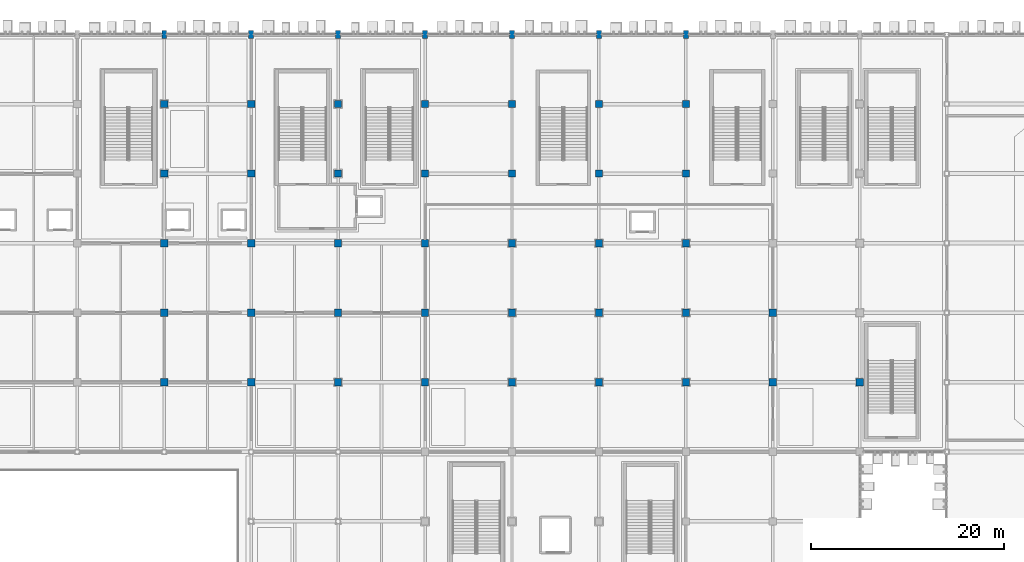
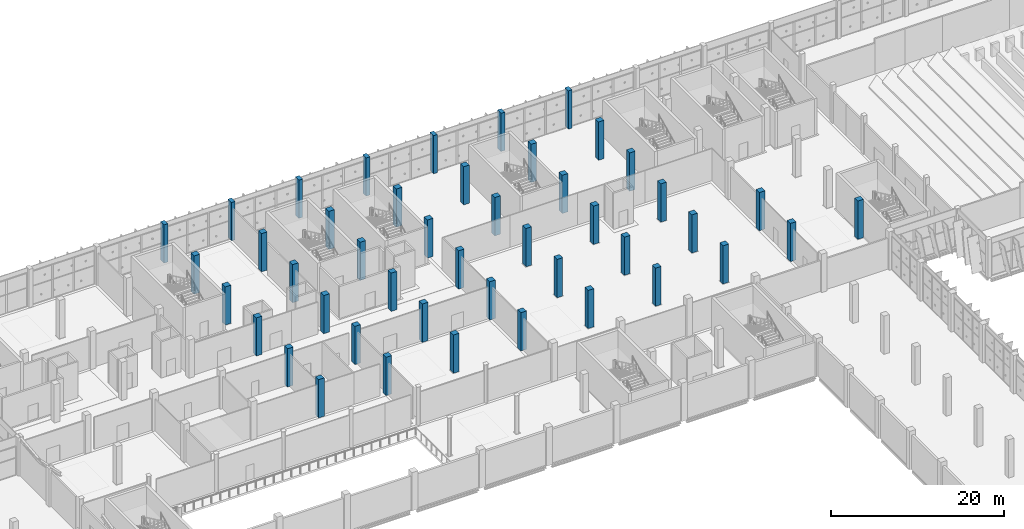
# One storey, part 13 of 189: 45 columns.
"""IFC4 building model written with IfcOpenShell, lengths in metres."""

from ifc_helpers import new_model, si_unit, direction, frame, origin, origin_2d, place, context, subcontext, project, spatial, rectangle, extrude, material, material_profile, profile_set, type_object, element, save


model = new_model("IFC4")

# Units and contexts
model_context = context("Model", 3, precision=1e-05, world=origin(), true_north=direction((0.0, 1.0)))
body_context = subcontext(model_context, "Body", "Model", "MODEL_VIEW")
ifc_project = project(units=[si_unit("LENGTHUNIT", "METRE"), si_unit("AREAUNIT", "SQUARE_METRE"), si_unit("VOLUMEUNIT", "CUBIC_METRE"), si_unit("PLANEANGLEUNIT", "RADIAN"), si_unit("MASSUNIT", "GRAM", prefix="KILO")], contexts=[model_context])

# Site, building, storey
site_placement = place(None, origin())
site = spatial("IfcSite", under=ifc_project, at=site_placement, CompositionType="ELEMENT")
building_placement = place(site_placement, origin())
building = spatial("IfcBuilding", under=site, at=building_placement, Name="Celestram Park Convention Centre", CompositionType="ELEMENT")
storey_placement = place(building_placement, frame((0.0, 0.0, 5.39990234375)))
storey = spatial("IfcBuildingStorey", under=building, at=storey_placement, Name="L01", CompositionType="ELEMENT", Elevation=5.39990234375)

# Columns
ifc_material = material(Name="Concrete C40/50", Category="concrete")
ifc_material_profile_1 = material_profile(ifc_material, rectangle(XDim=0.75, YDim=0.75, at=origin_2d()), Name="RC750X750")
ifc_profile_set_1 = profile_set([ifc_material_profile_1], Name="Concrete C40/50")
column_type_1 = type_object("IfcColumnType", Name="STR-COL-RC750", PredefinedType="COLUMN", material=ifc_profile_set_1)
for number, where, z_axis, x_axis, name in (
    (1, (72.0, 129.60009765625, 0.0), (0.0, 0.0, 1.0), (1.0, 0.0, 0.0), "Column CN-L01-081"),
    (2, (72.0, 136.800048828125, 0.0), (0.0, 0.0, 1.0), (1.0, 0.0, 0.0), "Column CN-L01-082"),
    (3, (72.0, 144.0, 0.0), (0.0, 0.0, 1.0), (1.0, 0.0, 0.0), "Column CN-L01-083"),
    (4, (72.0, 151.199951171875, 0.0), (0.0, 0.0, 1.0), (1.0, 0.0, 0.0), "Column CN-L01-084"),
    (5, (72.0, 158.39990234375, 0.0), (0.0, 0.0, 1.0), (1.0, 0.0, 0.0), "Column CN-L01-085"),
    (6, (81.0, 129.60009765625, 0.0), (0.0, 0.0, 1.0), (1.0, 0.0, 0.0), "Column CN-L01-091"),
    (7, (81.0, 136.800048828125, 0.0), (0.0, 0.0, 1.0), (1.0, 0.0, 0.0), "Column CN-L01-092"),
    (8, (81.0, 144.0, 0.0), (0.0, 0.0, 1.0), (1.0, 0.0, 0.0), "Column CN-L01-093"),
    (9, (81.0, 151.199951171875, 0.0), (0.0, 0.0, 1.0), (1.0, 0.0, 0.0), "Column CN-L01-094"),
    (10, (81.0, 158.39990234375, 0.0), (0.0, 0.0, 1.0), (1.0, 0.0, 0.0), "Column CN-L01-095"),
    (11, (90.0, 129.60009765625, 0.0), (0.0, 0.0, 1.0), (1.0, 0.0, 0.0), "Column CN-L01-101"),
    (12, (90.0, 136.800048828125, 0.0), (0.0, 0.0, 1.0), (1.0, 0.0, 0.0), "Column CN-L01-102"),
    (13, (90.0, 144.0, 0.0), (0.0, 0.0, 1.0), (1.0, 0.0, 0.0), "Column CN-L01-103"),
    (14, (90.0, 151.199951171875, 0.0), (0.0, 0.0, 1.0), (1.0, 0.0, 0.0), "Column CN-L01-104"),
    (15, (90.0, 158.39990234375, 0.0), (0.0, 0.0, 1.0), (1.0, 0.0, 0.0), "Column CN-L01-105"),
    (16, (99.0, 129.60009765625, 0.0), (0.0, 0.0, 1.0), (1.0, 0.0, 0.0), "Column CN-L01-111"),
    (17, (99.0, 136.800048828125, 0.0), (0.0, 0.0, 1.0), (1.0, 0.0, 0.0), "Column CN-L01-112"),
    (18, (99.0, 144.0, 0.0), (0.0, 0.0, 1.0), (1.0, 0.0, 0.0), "Column CN-L01-113"),
    (19, (99.0, 151.199951171875, 0.0), (0.0, 0.0, 1.0), (1.0, 0.0, 0.0), "Column CN-L01-114"),
    (20, (99.0, 158.39990234375, 0.0), (0.0, 0.0, 1.0), (1.0, 0.0, 0.0), "Column CN-L01-115"),
    (21, (108.0, 129.60009765625, 0.0), (0.0, 0.0, 1.0), (1.0, 0.0, 0.0), "Column CN-L01-121"),
    (22, (108.0, 136.800048828125, 0.0), (0.0, 0.0, 1.0), (1.0, 0.0, 0.0), "Column CN-L01-122"),
    (23, (108.0, 144.0, 0.0), (0.0, 0.0, 1.0), (1.0, 0.0, 0.0), "Column CN-L01-123"),
    (24, (108.0, 151.199951171875, 0.0), (0.0, 0.0, 1.0), (1.0, 0.0, 0.0), "Column CN-L01-124"),
    (25, (108.0, 158.39990234375, 0.0), (0.0, 0.0, 1.0), (1.0, 0.0, 0.0), "Column CN-L01-125"),
    (26, (117.0, 129.60009765625, 0.0), (0.0, 0.0, 1.0), (1.0, 0.0, 0.0), "Column CN-L01-131"),
    (27, (117.0, 136.800048828125, 0.0), (0.0, 0.0, 1.0), (1.0, 0.0, 0.0), "Column CN-L01-132"),
    (28, (117.0, 144.0, 0.0), (0.0, 0.0, 1.0), (1.0, 0.0, 0.0), "Column CN-L01-133"),
    (29, (117.0, 151.199951171875, 0.0), (0.0, 0.0, 1.0), (1.0, 0.0, 0.0), "Column CN-L01-134"),
    (30, (117.0, 158.39990234375, 0.0), (0.0, 0.0, 1.0), (1.0, 0.0, 0.0), "Column CN-L01-135"),
    (31, (126.0, 129.60009765625, 0.0), (0.0, 0.0, 1.0), (1.0, 0.0, 0.0), "Column CN-L01-152"),
    (32, (126.0, 136.800048828125, 0.0), (0.0, 0.0, 1.0), (1.0, 0.0, 0.0), "Column CN-L01-153"),
    (33, (126.0, 144.0, 0.0), (0.0, 0.0, 1.0), (1.0, 0.0, 0.0), "Column CN-L01-154"),
    (34, (126.0, 151.199951171875, 0.0), (0.0, 0.0, 1.0), (1.0, 0.0, 0.0), "Column CN-L01-155"),
    (35, (126.0, 158.39990234375, 0.0), (0.0, 0.0, 1.0), (1.0, 0.0, 0.0), "Column CN-L01-156"),
    (36, (135.0, 129.60009765625, 0.0), (0.0, 0.0, 1.0), (1.0, 0.0, 0.0), "Column CN-L01-173"),
    (37, (135.0, 136.800048828125, 0.0), (0.0, 0.0, 1.0), (1.0, 0.0, 0.0), "Column CN-L01-174"),
    (38, (144.0, 129.60009765625, 0.0), (0.0, 0.0, 1.0), (1.0, 0.0, 0.0), "Column CN-L01-197"),
):
    element("IfcColumn", number, at=place(storey_placement, frame(where, z_axis=z_axis, x_axis=x_axis)), inside=storey, type_object=column_type_1, Name=name, PredefinedType="COLUMN", context=body_context, shape_type="SweptSolid", body=[
        extrude(rectangle(XDim=0.75, YDim=0.75, at=origin_2d()), origin(), (0.0, 0.0, 1.0), 5.400146484375),
    ])
ifc_material_profile_2 = material_profile(ifc_material, rectangle(XDim=0.5, YDim=0.800048828125, at=origin_2d()), Name="RC800X500")
ifc_profile_set_2 = profile_set([ifc_material_profile_2], Name="Concrete C40/50")
column_type_2 = type_object("IfcColumnType", Name="STR-COL-RC800X500", PredefinedType="COLUMN", material=ifc_profile_set_2)
for number, where, z_axis, x_axis, name in (
    (39, (72.0, 165.60009765625, 0.0), (0.0, 0.0, 1.0), (1.0, 0.0, 0.0), "Column CN-L01-086"),
    (40, (81.0, 165.60009765625, 0.0), (0.0, 0.0, 1.0), (1.0, 0.0, 0.0), "Column CN-L01-096"),
    (41, (90.0, 165.60009765625, 0.0), (0.0, 0.0, 1.0), (1.0, 0.0, 0.0), "Column CN-L01-106"),
    (42, (99.0, 165.60009765625, 0.0), (0.0, 0.0, 1.0), (1.0, 0.0, 0.0), "Column CN-L01-116"),
    (43, (108.0, 165.60009765625, 0.0), (0.0, 0.0, 1.0), (1.0, 0.0, 0.0), "Column CN-L01-126"),
    (44, (117.0, 165.60009765625, 0.0), (0.0, 0.0, 1.0), (1.0, 0.0, 0.0), "Column CN-L01-136"),
    (45, (126.0, 165.60009765625, 0.0), (0.0, 0.0, 1.0), (1.0, 0.0, 0.0), "Column CN-L01-157"),
):
    element("IfcColumn", number, at=place(storey_placement, frame(where, z_axis=z_axis, x_axis=x_axis)), inside=storey, type_object=column_type_2, Name=name, PredefinedType="COLUMN", context=body_context, shape_type="SweptSolid", body=[
        extrude(rectangle(XDim=0.5, YDim=0.800048828125, at=origin_2d()), origin(), (0.0, 0.0, 1.0), 5.400146484375),
    ])

save(model, "model.ifc")
